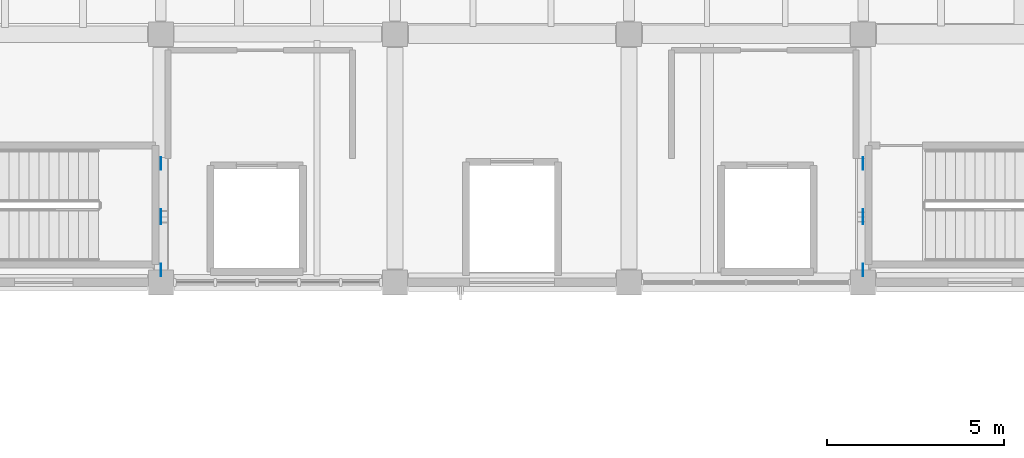
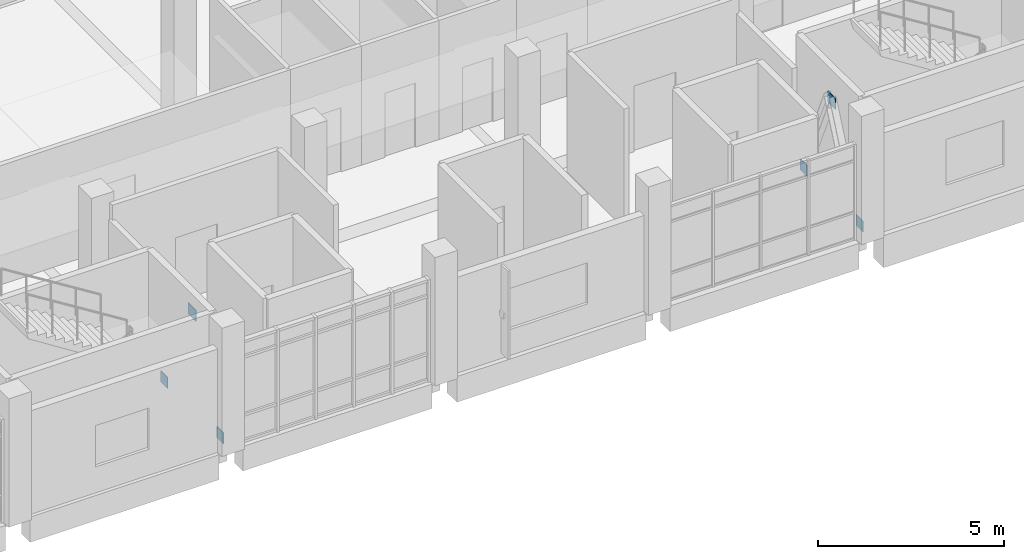
# One storey, part 13 of 20: 6 plates.
"""IFC4 building model written with IfcOpenShell, lengths in metres."""

from ifc_helpers import new_model, si_unit, direction, frame, origin, origin_2d, place, context, subcontext, project, spatial, rectangle, extrude, material, layer, layer_set, type_object, element, save


model = new_model("IFC4")

# Units and contexts
model_context = context("Model", 3, precision=1e-05, world=origin(), true_north=direction((0.0, 1.0)))
body_context = subcontext(model_context, "Body", "Model", "MODEL_VIEW")
ifc_project = project(units=[si_unit("LENGTHUNIT", "METRE"), si_unit("AREAUNIT", "SQUARE_METRE"), si_unit("VOLUMEUNIT", "CUBIC_METRE"), si_unit("PLANEANGLEUNIT", "RADIAN"), si_unit("MASSUNIT", "GRAM", prefix="KILO")], contexts=[model_context])

# Site, building, storey
site_placement = place(None, origin())
site = spatial("IfcSite", under=ifc_project, at=site_placement, CompositionType="ELEMENT")
building_placement = place(site_placement, origin())
building = spatial("IfcBuilding", under=site, at=building_placement, Name="Ciguamira Faculty of Natural Sciences", CompositionType="ELEMENT")
storey_placement = place(building_placement, frame((0.0, 0.0, 21.0)))
storey = spatial("IfcBuildingStorey", under=building, at=storey_placement, Name="L05", CompositionType="ELEMENT", Elevation=21.0)

# Plates
ifc_material = material(Name="Steel ASTM A572 Grade 50", Category="steel")
ifc_layer = layer(ifc_material, 0.02001953125, Name="Steel ASTM A572 Grade 50")
ifc_layer_set = layer_set([ifc_layer], Name="Steel ASTM A572 Grade 50")
plate_type = type_object("IfcPlateType", Name="GussetPlate_EP-02", PredefinedType="SHEET", material=ifc_layer_set)
plate_1_placement = place(storey_placement, frame((77.10009765625, 95.85009765625, 3.10009765625), z_axis=(0.0, 0.0, 1.0), x_axis=(1.0, 0.0, 0.0)))
element("IfcPlate", 1, at=plate_1_placement, inside=storey, type_object=plate_type, Name="L05 chevron brace apex gusset plate 013", PredefinedType="SHEET", context=body_context, shape_type="SweptSolid", body=[
    extrude(rectangle(XDim=0.02001953125, YDim=0.419921875, at=origin_2d()), origin(), (0.0, 0.0, 1.0), 0.360107421875),
])
for number, where, z_axis, x_axis, name in (
    (2, (77.10009765625, 94.35009765625, -0.02001953125), (0.0, 0.0, 1.0), (1.0, 0.0, 0.0), "L05 chevron brace base gusset plate 025"),
    (3, (77.10009765625, 97.35009765625, -0.02001953125), (0.0, 0.0, 1.0), (1.0, 0.0, 0.0), "L05 chevron brace base gusset plate 026"),
):
    element("IfcPlate", number, at=place(storey_placement, frame(where, z_axis=z_axis, x_axis=x_axis)), inside=storey, type_object=plate_type, Name=name, PredefinedType="SHEET", context=body_context, shape_type="SweptSolid", body=[
        extrude(rectangle(XDim=0.02001953125, YDim=0.360107421875, at=origin_2d()), origin(), (0.0, 0.0, 1.0), 0.360107421875),
    ])
plate_2_placement = place(storey_placement, frame((96.89990234375, 95.85009765625, 3.10009765625), z_axis=(0.0, 0.0, 1.0), x_axis=(1.0, 0.0, 0.0)))
element("IfcPlate", 4, at=plate_2_placement, inside=storey, type_object=plate_type, Name="L05 chevron brace apex gusset plate 014", PredefinedType="SHEET", context=body_context, shape_type="SweptSolid", body=[
    extrude(rectangle(XDim=0.02001953125, YDim=0.419921875, at=origin_2d()), origin(), (0.0, 0.0, 1.0), 0.360107421875),
])
for number, where, z_axis, x_axis, name in (
    (5, (96.89990234375, 94.35009765625, -0.02001953125), (0.0, 0.0, 1.0), (1.0, 0.0, 0.0), "L05 chevron brace base gusset plate 027"),
    (6, (96.89990234375, 97.35009765625, -0.02001953125), (0.0, 0.0, 1.0), (1.0, 0.0, 0.0), "L05 chevron brace base gusset plate 028"),
):
    element("IfcPlate", number, at=place(storey_placement, frame(where, z_axis=z_axis, x_axis=x_axis)), inside=storey, type_object=plate_type, Name=name, PredefinedType="SHEET", context=body_context, shape_type="SweptSolid", body=[
        extrude(rectangle(XDim=0.02001953125, YDim=0.360107421875, at=origin_2d()), origin(), (0.0, 0.0, 1.0), 0.360107421875),
    ])

save(model, "model.ifc")
